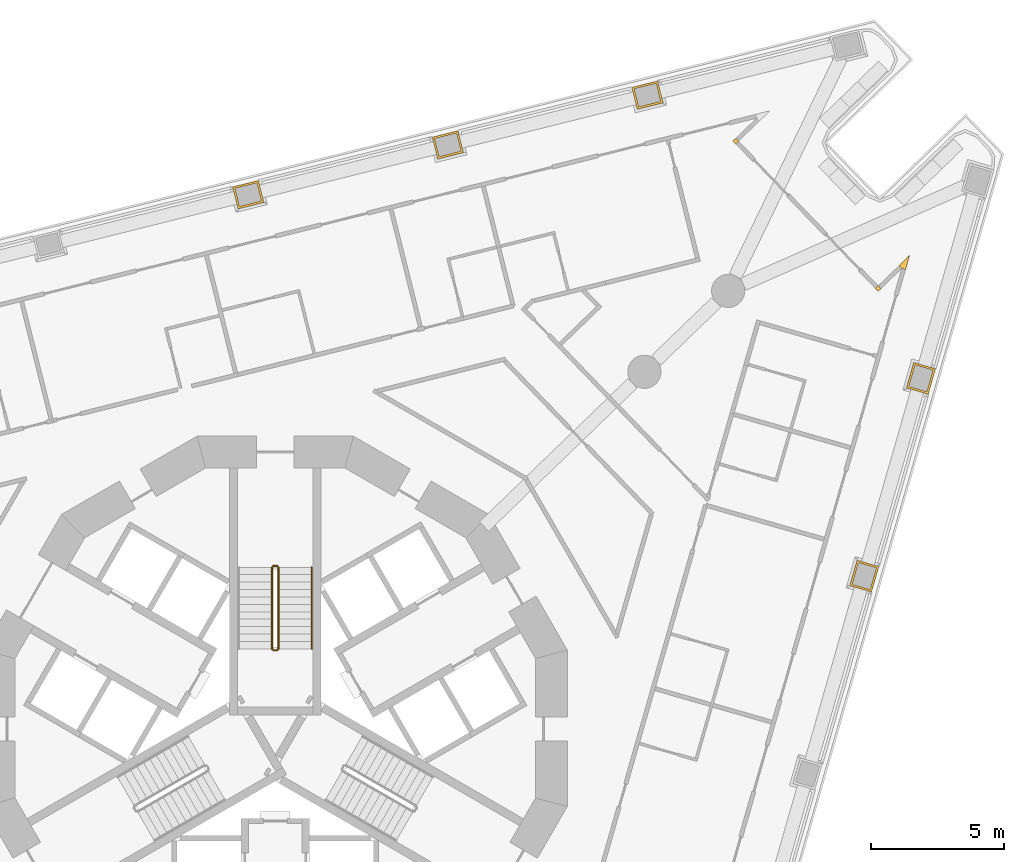
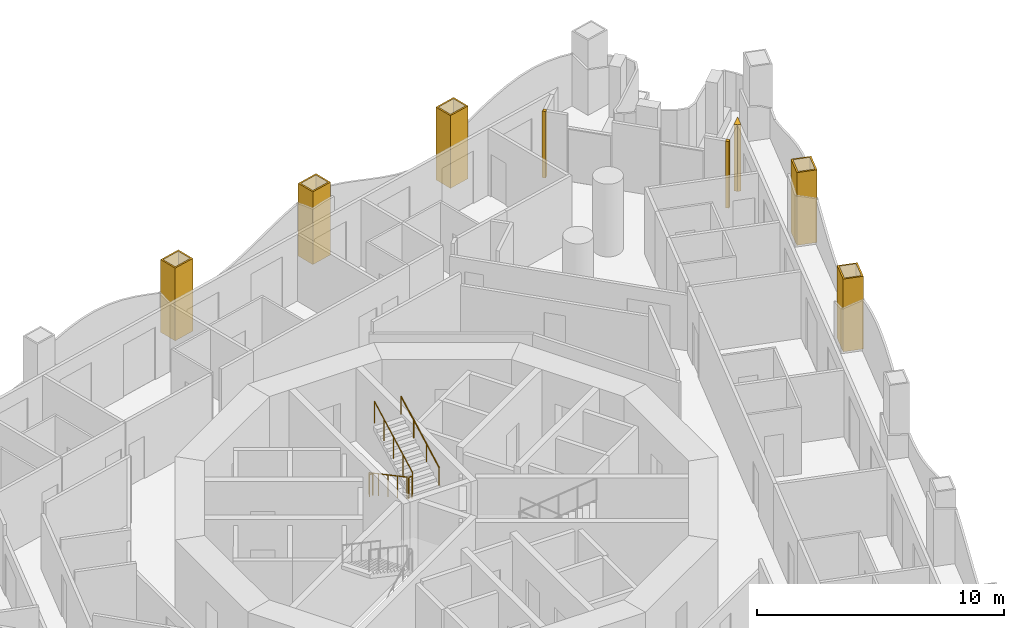
# One storey, part 16 of 18: 8 coverings, 5 railings.
"""IFC4 building model written with IfcOpenShell, lengths in metres."""

from ifc_helpers import new_model, si_unit, direction, frame, origin, origin_2d, place, context, subcontext, project, spatial, polyline, circle, outline, extrude, material, layer, layer_set, type_object, element, save


model = new_model("IFC4")

# Units and contexts
model_context = context("Model", 3, precision=1e-05, world=origin(), true_north=direction((0.0, 1.0)))
body_context = subcontext(model_context, "Body", "Model", "MODEL_VIEW")
ifc_project = project(units=[si_unit("LENGTHUNIT", "METRE"), si_unit("AREAUNIT", "SQUARE_METRE"), si_unit("VOLUMEUNIT", "CUBIC_METRE"), si_unit("PLANEANGLEUNIT", "RADIAN"), si_unit("MASSUNIT", "GRAM", prefix="KILO")], contexts=[model_context])

# Site, building, storey
site_placement = place(None, origin())
site = spatial("IfcSite", under=ifc_project, at=site_placement, CompositionType="ELEMENT")
building_placement = place(site_placement, origin())
building = spatial("IfcBuilding", under=site, at=building_placement, Name="Trine Commons Tower", CompositionType="ELEMENT")
storey_placement = place(building_placement, frame((0.0, 0.0, 90.89990234375)))
storey = spatial("IfcBuildingStorey", under=building, at=storey_placement, Name="L22", CompositionType="ELEMENT", Elevation=90.89990234375)

# Coverings
ifc_material_1 = material(Name="Aluminium-framed insulated wall panel", Category="aluminium")
ifc_layer_1 = layer(ifc_material_1, 0.14990234375)
ifc_layer_set_1 = layer_set([ifc_layer_1], Name="Aluminium-framed insulated wall panel")
covering_type_1 = type_object("IfcCoveringType", Name="Glazing corner post, aluminium", PredefinedType="CLADDING", material=ifc_layer_set_1)
covering_1_placement = place(storey_placement, origin())
element("IfcCovering", 1, at=covering_1_placement, inside=storey, type_object=covering_type_1, Name="Glazing corner post 3-06", PredefinedType="CLADDING", context=body_context, shape_type="SweptSolid", body=[
    extrude(outline(polyline([(97.36328125, 84.536376953125), (97.47119140625, 84.640380859375), (97.47119140625, 84.640380859375), (97.366943359375, 84.748291015625), (97.259033203125, 84.644287109375), (97.36328125, 84.536376953125)])), origin(), (0.0, 0.0, 1.0), 3.300048828125),
])
covering_2_placement = place(storey_placement, origin())
element("IfcCovering", 2, at=covering_2_placement, inside=storey, type_object=covering_type_1, Name="Glazing corner post 3-07", PredefinedType="CLADDING", context=body_context, shape_type="SweptSolid", body=[
    extrude(outline(polyline([(102.62890625, 79.083740234375), (102.73291015625, 78.975830078125), (102.8408203125, 79.080078125), (102.73681640625, 79.18798828125), (102.73681640625, 79.18798828125), (102.62890625, 79.083740234375)])), origin(), (0.0, 0.0, 1.0), 3.300048828125),
])
covering_3_placement = place(storey_placement, origin())
element("IfcCovering", 3, at=covering_3_placement, inside=storey, type_object=covering_type_1, Name="Glazing corner post 3-08", PredefinedType="CLADDING", context=body_context, shape_type="SweptSolid", body=[
    extrude(outline(polyline([(103.76611328125, 79.79296875), (103.92041015625, 80.3310546875), (103.517578125, 79.942138671875), (103.621826171875, 79.834228515625), (103.76611328125, 79.79296875)])), origin(), (0.0, 0.0, 1.0), 3.300048828125),
])
ifc_material_2 = material(Name="Limestone, honed", Category="masonry")
ifc_layer_2 = layer(ifc_material_2, 0.074951171875)
ifc_layer_set_2 = layer_set([ifc_layer_2], Name="Limestone, honed")
covering_type_2 = type_object("IfcCoveringType", Name="Limestone column cladding 75", PredefinedType="CLADDING", material=ifc_layer_set_2)
covering_4_placement = place(storey_placement, origin())
element("IfcCovering", 4, at=covering_4_placement, inside=storey, type_object=covering_type_2, Name="Limestone pier cladding 3-13", PredefinedType="CLADDING", context=body_context, shape_type="SweptSolid", body=[
    extrude(outline(polyline([(79.569091796875, 82.32861328125), (79.36328125, 83.1533203125), (78.39306640625, 82.91162109375), (78.598876953125, 82.0869140625), (79.569091796875, 82.32861328125)]), holes=[polyline([(79.47802734375, 82.38330078125), (79.308837890625, 83.0625), (78.484130859375, 82.85693359375), (78.6533203125, 82.177734375), (79.47802734375, 82.38330078125)])]), origin(), (0.0, 0.0, 1.0), 3.60009765625),
])
covering_5_placement = place(storey_placement, origin())
element("IfcCovering", 5, at=covering_5_placement, inside=storey, type_object=covering_type_2, Name="Limestone pier cladding 3-14", PredefinedType="CLADDING", context=body_context, shape_type="SweptSolid", body=[
    extrude(outline(polyline([(87.09619140625, 84.205322265625), (86.890625, 85.030029296875), (85.92041015625, 84.7880859375), (86.1259765625, 83.96337890625), (87.09619140625, 84.205322265625)]), holes=[polyline([(87.00537109375, 84.260009765625), (86.8359375, 84.939208984375), (86.01123046875, 84.733642578125), (86.1806640625, 84.054443359375), (87.00537109375, 84.260009765625)])]), origin(), (0.0, 0.0, 1.0), 3.60009765625),
])
covering_6_placement = place(storey_placement, origin())
element("IfcCovering", 6, at=covering_6_placement, inside=storey, type_object=covering_type_2, Name="Limestone pier cladding 3-15", PredefinedType="CLADDING", context=body_context, shape_type="SweptSolid", body=[
    extrude(outline(polyline([(94.62353515625, 86.082275390625), (94.417724609375, 86.906982421875), (93.447509765625, 86.6650390625), (93.6533203125, 85.84033203125), (94.62353515625, 86.082275390625)]), holes=[polyline([(94.532470703125, 86.13671875), (94.36328125, 86.81591796875), (93.53857421875, 86.6103515625), (93.707763671875, 85.93115234375), (94.532470703125, 86.13671875)])]), origin(), (0.0, 0.0, 1.0), 3.60009765625),
])
covering_7_placement = place(storey_placement, origin())
element("IfcCovering", 7, at=covering_7_placement, inside=storey, type_object=covering_type_2, Name="Limestone pier cladding 3-18", PredefinedType="CLADDING", context=body_context, shape_type="SweptSolid", body=[
    extrude(outline(polyline([(104.895263671875, 76.057373046875), (104.078125, 76.29150390625), (103.802490234375, 75.330322265625), (104.61962890625, 75.095947265625), (104.895263671875, 76.057373046875)]), holes=[polyline([(104.802490234375, 76.005859375), (104.129638671875, 76.19873046875), (103.895263671875, 75.381591796875), (104.568115234375, 75.188720703125), (104.802490234375, 76.005859375)])]), origin(), (0.0, 0.0, 1.0), 3.60009765625),
])
covering_8_placement = place(storey_placement, origin())
element("IfcCovering", 8, at=covering_8_placement, inside=storey, type_object=covering_type_2, Name="Limestone pier cladding 3-19", PredefinedType="CLADDING", context=body_context, shape_type="SweptSolid", body=[
    extrude(outline(polyline([(102.757080078125, 68.60009765625), (101.93994140625, 68.83447265625), (101.664306640625, 67.873291015625), (102.481201171875, 67.638916015625), (102.757080078125, 68.60009765625)]), holes=[polyline([(102.664306640625, 68.548828125), (101.9912109375, 68.74169921875), (101.757080078125, 67.924560546875), (102.429931640625, 67.731689453125), (102.664306640625, 68.548828125)])]), origin(), (0.0, 0.0, 1.0), 3.60009765625),
])

# Railings
ifc_material_3 = material(Name="Stainless steel balustrade", Category="steel")
railing_type_1 = type_object("IfcRailingType", Name="Stair guard, steel balustrade 1100", PredefinedType="GUARDRAIL", material=ifc_material_3)
railing_1_placement = place(storey_placement, frame((79.875, 68.570556640625, 0.150146484375)))
element("IfcRailing", 9, at=railing_1_placement, inside=storey, type_object=railing_type_1, Name="L22 ST1A stair guard 1", PredefinedType="GUARDRAIL", context=body_context, shape_type="SweptSolid", body=[
    extrude(circle(Radius=0.02392578125, at=origin_2d()), frame((0.0, 0.0, 1.076171875), z_axis=(0.0, -0.881496589024, 0.472190389079), x_axis=(1.0, 0.0, 0.0)), (0.0, 0.0, 1.0), 3.494140625),
    extrude(circle(Radius=0.02099609375, at=origin_2d()), origin(), (0.0, 0.0, 1.0), 1.052001953125),
    extrude(circle(Radius=0.02099609375, at=origin_2d()), frame((0.0, -0.77001953125, 0.41259765625)), (0.0, 0.0, 1.0), 1.052001953125),
    extrude(circle(Radius=0.02099609375, at=origin_2d()), frame((0.0, -1.5400390625, 0.824951171875)), (0.0, 0.0, 1.0), 1.052001953125),
    extrude(circle(Radius=0.02099609375, at=origin_2d()), frame((0.0, -2.31005859375, 1.2373046875)), (0.0, 0.0, 1.0), 1.052001953125),
    extrude(circle(Radius=0.02099609375, at=origin_2d()), frame((0.0, -3.080078125, 1.64990234375)), (0.0, 0.0, 1.0), 1.052001953125),
])
railing_2_placement = place(storey_placement, frame((79.925048828125, 65.440673828125, 1.800048828125)))
element("IfcRailing", 10, at=railing_2_placement, inside=storey, type_object=railing_type_1, Name="L22 ST1A stair guard 2", PredefinedType="GUARDRAIL", context=body_context, shape_type="SweptSolid", body=[
    extrude(circle(Radius=0.02392578125, at=origin_2d()), frame((0.0, 0.0, 1.076171875), z_axis=(1.0, 0.0, 0.0), x_axis=(0.0, 1.0, 0.0)), (0.0, 0.0, 1.0), 0.14990234375),
    extrude(circle(Radius=0.02099609375, at=origin_2d()), origin(), (0.0, 0.0, 1.0), 1.052001953125),
    extrude(circle(Radius=0.02099609375, at=origin_2d()), frame((0.14990234375, 0.0, 0.0)), (0.0, 0.0, 1.0), 1.052001953125),
])
railing_3_placement = place(storey_placement, frame((80.125, 65.490478515625, 1.9501953125)))
element("IfcRailing", 11, at=railing_3_placement, inside=storey, type_object=railing_type_1, Name="L22 ST1A stair guard 3", PredefinedType="GUARDRAIL", context=body_context, shape_type="SweptSolid", body=[
    extrude(circle(Radius=0.02392578125, at=origin_2d()), frame((0.0, 0.0, 1.076171875), z_axis=(0.0, 0.881496589024, 0.472190389079), x_axis=(-1.0, 0.0, 0.0)), (0.0, 0.0, 1.0), 3.494140625),
    extrude(circle(Radius=0.02099609375, at=origin_2d()), origin(), (0.0, 0.0, 1.0), 1.052001953125),
    extrude(circle(Radius=0.02099609375, at=origin_2d()), frame((0.0, 0.77001953125, 0.41259765625)), (0.0, 0.0, 1.0), 1.052001953125),
    extrude(circle(Radius=0.02099609375, at=origin_2d()), frame((0.0, 1.5400390625, 0.824951171875)), (0.0, 0.0, 1.0), 1.052001953125),
    extrude(circle(Radius=0.02099609375, at=origin_2d()), frame((0.0, 2.31005859375, 1.2373046875)), (0.0, 0.0, 1.0), 1.052001953125),
    extrude(circle(Radius=0.02099609375, at=origin_2d()), frame((0.0, 3.080078125, 1.64990234375)), (0.0, 0.0, 1.0), 1.052001953125),
])
railing_4_placement = place(storey_placement, frame((79.925048828125, 68.62060546875, 0.0)))
element("IfcRailing", 12, at=railing_4_placement, inside=storey, type_object=railing_type_1, Name="L22 ST1A stair guard 4", PredefinedType="GUARDRAIL", context=body_context, shape_type="SweptSolid", body=[
    extrude(circle(Radius=0.02392578125, at=origin_2d()), frame((0.0, 0.0, 1.076171875), z_axis=(1.0, 0.0, 0.0), x_axis=(0.0, 1.0, 0.0)), (0.0, 0.0, 1.0), 0.14990234375),
    extrude(circle(Radius=0.02099609375, at=origin_2d()), origin(), (0.0, 0.0, 1.0), 1.052001953125),
    extrude(circle(Radius=0.02099609375, at=origin_2d()), frame((0.14990234375, 0.0, 0.0)), (0.0, 0.0, 1.0), 1.052001953125),
])
ifc_material_4 = material(Name="Stainless steel handrail", Category="steel")
railing_type_2 = type_object("IfcRailingType", Name="Stair handrail, steel 900", PredefinedType="HANDRAIL", material=ifc_material_4)
railing_5_placement = place(storey_placement, frame((81.375, 65.490478515625, 1.9501953125)))
element("IfcRailing", 13, at=railing_5_placement, inside=storey, type_object=railing_type_2, Name="L22 ST1A stair handrail 2", PredefinedType="HANDRAIL", context=body_context, shape_type="SweptSolid", body=[
    extrude(circle(Radius=0.02099609375, at=origin_2d()), frame((0.0, 0.0, 0.87890625), z_axis=(0.0, 0.881496589024, 0.472190389079), x_axis=(-1.0, 0.0, 0.0)), (0.0, 0.0, 1.0), 3.494140625),
    extrude(circle(Radius=0.01513671875, at=origin_2d()), origin(), (0.0, 0.0, 1.0), 0.85791015625),
    extrude(circle(Radius=0.01513671875, at=origin_2d()), frame((0.0, 1.026611328125, 0.550048828125)), (0.0, 0.0, 1.0), 0.85791015625),
    extrude(circle(Radius=0.01513671875, at=origin_2d()), frame((0.0, 2.053466796875, 1.099853515625)), (0.0, 0.0, 1.0), 0.85791015625),
    extrude(circle(Radius=0.01513671875, at=origin_2d()), frame((0.0, 3.080078125, 1.64990234375)), (0.0, 0.0, 1.0), 0.85791015625),
])

save(model, "model.ifc")
